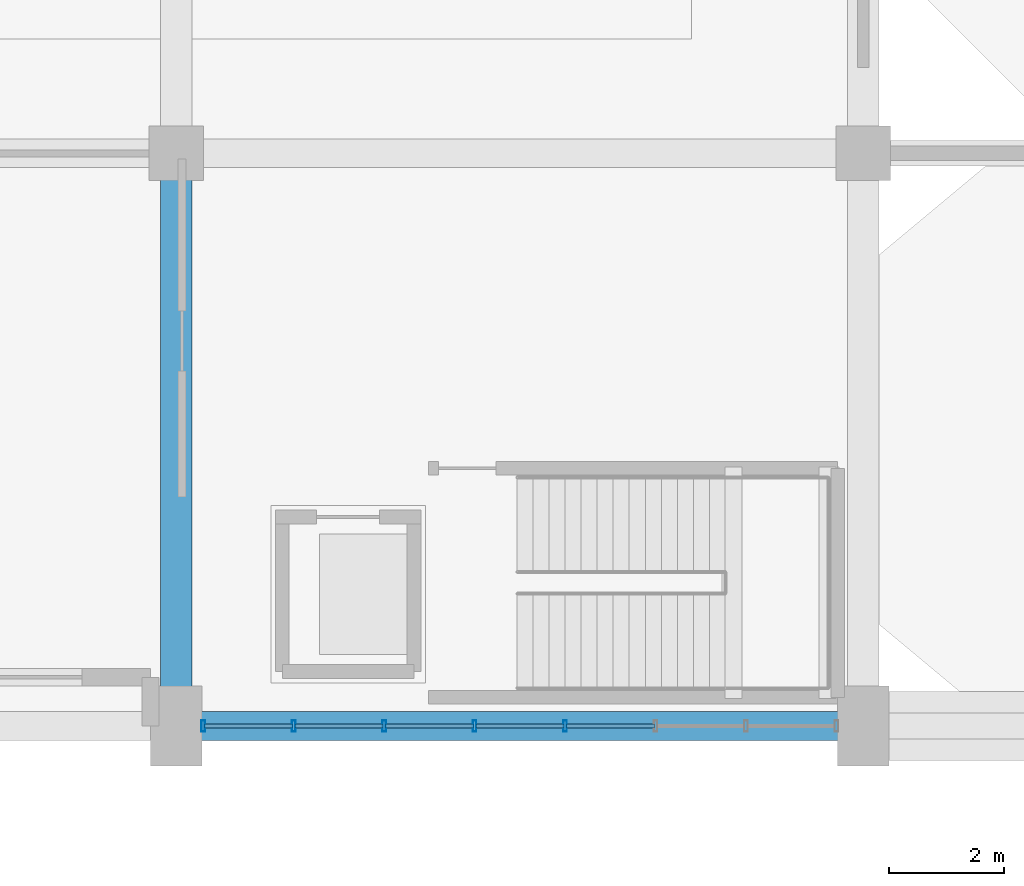
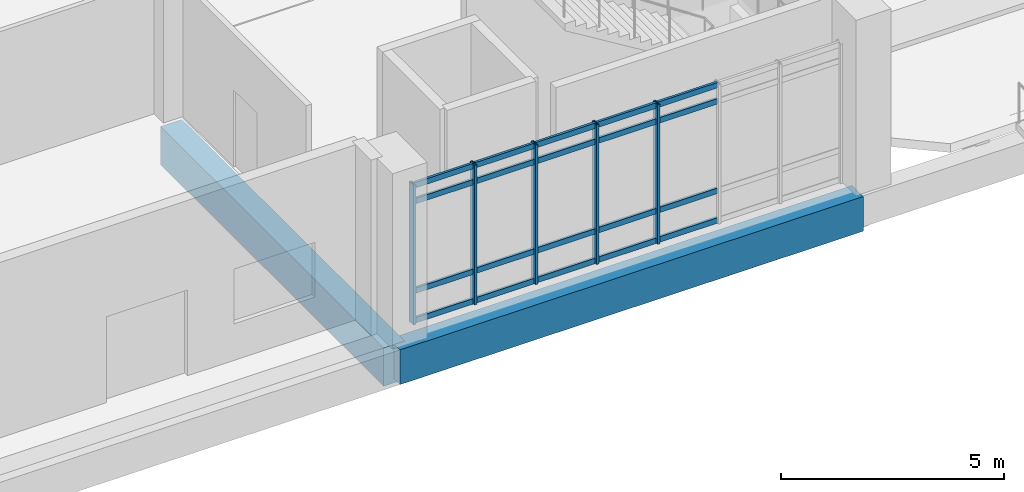
# One storey, part 20 of 87: 25 members, 2 beams, 1 element without a shape of its own.
"""IFC4 building model written with IfcOpenShell, lengths in metres."""

from ifc_helpers import new_model, si_unit, direction, frame, origin, origin_2d, place, context, subcontext, project, spatial, rectangle, hollow_rectangle, extrude, material, layer, layer_set, material_profile, profile_set, type_object, element, aggregate, save


model = new_model("IFC4")

# Units and contexts
model_context = context("Model", 3, precision=1e-05, world=origin(), true_north=direction((0.0, 1.0)))
body_context = subcontext(model_context, "Body", "Model", "MODEL_VIEW")
ifc_project = project(units=[si_unit("LENGTHUNIT", "METRE"), si_unit("AREAUNIT", "SQUARE_METRE"), si_unit("VOLUMEUNIT", "CUBIC_METRE"), si_unit("PLANEANGLEUNIT", "RADIAN"), si_unit("MASSUNIT", "GRAM", prefix="KILO")], contexts=[model_context])

# Site, building, storey
site_placement = place(None, origin())
site = spatial("IfcSite", under=ifc_project, at=site_placement, CompositionType="ELEMENT")
building_placement = place(site_placement, origin())
building = spatial("IfcBuilding", under=site, at=building_placement, Name="Mersad Railyard Sports Hall", CompositionType="ELEMENT")
storey_placement = place(building_placement, origin())
storey = spatial("IfcBuildingStorey", under=building, at=storey_placement, Name="L00", CompositionType="ELEMENT", Elevation=0.0)

# Curtain wall, members
ifc_material_1 = material(Name="Aluminium 6063-T6", Category="aluminium")
ifc_layer = layer(ifc_material_1, 0.199951171875)
ifc_layer_set = layer_set([ifc_layer], Name="Aluminium 6063-T6")
curtain_wall_type = type_object("IfcCurtainWallType", Name="ARC-CW-CW01", PredefinedType="USERDEFINED", material=ifc_layer_set)
curtain_wall_placement = place(storey_placement, origin())
curtain_wall = element("IfcCurtainWall", 1, at=curtain_wall_placement, inside=storey, type_object=curtain_wall_type, Name="Curtain wall CW01-0019", ObjectType="CURTAIN WALL", PredefinedType="USERDEFINED")
ifc_material_profile_1 = material_profile(ifc_material_1, hollow_rectangle(XDim=0.06494140625, YDim=0.199951171875, WallThickness=0.0048828125, at=origin_2d()), Name="AL MULLION 65x200x5")
ifc_profile_set_1 = profile_set([ifc_material_profile_1], Name="Aluminium 6063-T6")
member_type_1 = type_object("IfcMemberType", Name="ARC-CW-MUL02", PredefinedType="MULLION", material=ifc_profile_set_1)
member_1_placement = place(storey_placement, frame((85.7900390625, 3.5, -0.02001953125), z_axis=(0.0, 0.0, 1.0), x_axis=(1.0, 0.0, 0.0)))
member_1 = element("IfcMember", 2, at=member_1_placement, type_object=member_type_1, Name="CW01 Mullion 4", PredefinedType="MULLION", context=body_context, shape_type="SweptSolid", body=[
    extrude(hollow_rectangle(XDim=0.06494140625, YDim=0.199951171875, WallThickness=0.0048828125, at=origin_2d()), origin(), (0.0, 0.0, 1.0), 3.820068359375),
])
member_2_placement = place(storey_placement, frame((84.2099609375, 3.5, -0.02001953125), z_axis=(0.0, 0.0, 1.0), x_axis=(1.0, 0.0, 0.0)))
member_2 = element("IfcMember", 3, at=member_2_placement, type_object=member_type_1, Name="CW01 Mullion 5", PredefinedType="MULLION", context=body_context, shape_type="SweptSolid", body=[
    extrude(hollow_rectangle(XDim=0.06494140625, YDim=0.199951171875, WallThickness=0.0048828125, at=origin_2d()), origin(), (0.0, 0.0, 1.0), 3.820068359375),
])
member_3_placement = place(storey_placement, frame((82.6298828125, 3.5, -0.02001953125), z_axis=(0.0, 0.0, 1.0), x_axis=(1.0, 0.0, 0.0)))
member_3 = element("IfcMember", 4, at=member_3_placement, type_object=member_type_1, Name="CW01 Mullion 6", PredefinedType="MULLION", context=body_context, shape_type="SweptSolid", body=[
    extrude(hollow_rectangle(XDim=0.06494140625, YDim=0.199951171875, WallThickness=0.0048828125, at=origin_2d()), origin(), (0.0, 0.0, 1.0), 3.820068359375),
])
member_4_placement = place(storey_placement, frame((81.050048828125, 3.5, -0.02001953125), z_axis=(0.0, 0.0, 1.0), x_axis=(1.0, 0.0, 0.0)))
member_4 = element("IfcMember", 5, at=member_4_placement, type_object=member_type_1, Name="CW01 Mullion 7", PredefinedType="MULLION", context=body_context, shape_type="SweptSolid", body=[
    extrude(hollow_rectangle(XDim=0.06494140625, YDim=0.199951171875, WallThickness=0.0048828125, at=origin_2d()), origin(), (0.0, 0.0, 1.0), 3.820068359375),
])
member_5_placement = place(storey_placement, frame((79.469970703125, 3.5, -0.02001953125), z_axis=(0.0, 0.0, 1.0), x_axis=(1.0, 0.0, 0.0)))
member_5 = element("IfcMember", 6, at=member_5_placement, type_object=member_type_1, Name="CW01 Mullion 8", PredefinedType="MULLION", context=body_context, shape_type="SweptSolid", body=[
    extrude(hollow_rectangle(XDim=0.06494140625, YDim=0.199951171875, WallThickness=0.0048828125, at=origin_2d()), origin(), (0.0, 0.0, 1.0), 3.820068359375),
])
ifc_material_profile_2 = material_profile(ifc_material_1, hollow_rectangle(XDim=0.06494140625, YDim=0.14990234375, WallThickness=0.00439453125, at=origin_2d()), Name="AL TRANSOM 65x150x4.5")
ifc_profile_set_2 = profile_set([ifc_material_profile_2], Name="Aluminium 6063-T6")
member_type_2 = type_object("IfcMemberType", Name="ARC-CW-TRN02", PredefinedType="USERDEFINED", material=ifc_profile_set_2)
member_6_placement = place(storey_placement, frame((87.35009765625, 3.5, 0.0400390625), z_axis=(-1.0, 0.0, 0.0), x_axis=(0.0, -1.0, 0.0)))
member_6 = element("IfcMember", 7, at=member_6_placement, type_object=member_type_2, Name="CW01 Transom 1-3", ObjectType="TRANSOM", PredefinedType="USERDEFINED", context=body_context, shape_type="SweptSolid", body=[
    extrude(hollow_rectangle(XDim=0.06494140625, YDim=0.14990234375, WallThickness=0.00439453125, at=origin_2d()), origin(), (0.0, 0.0, 1.0), 1.5400390625),
])
member_7_placement = place(storey_placement, frame((85.77001953125, 3.5, 0.0400390625), z_axis=(-1.0, 0.0, 0.0), x_axis=(0.0, -1.0, 0.0)))
member_7 = element("IfcMember", 8, at=member_7_placement, type_object=member_type_2, Name="CW01 Transom 1-4", ObjectType="TRANSOM", PredefinedType="USERDEFINED", context=body_context, shape_type="SweptSolid", body=[
    extrude(hollow_rectangle(XDim=0.06494140625, YDim=0.14990234375, WallThickness=0.00439453125, at=origin_2d()), origin(), (0.0, 0.0, 1.0), 1.5400390625),
])
member_8_placement = place(storey_placement, frame((84.18994140625, 3.5, 0.0400390625), z_axis=(-1.0, 0.0, 0.0), x_axis=(0.0, -1.0, 0.0)))
member_8 = element("IfcMember", 9, at=member_8_placement, type_object=member_type_2, Name="CW01 Transom 1-5", ObjectType="TRANSOM", PredefinedType="USERDEFINED", context=body_context, shape_type="SweptSolid", body=[
    extrude(hollow_rectangle(XDim=0.06494140625, YDim=0.14990234375, WallThickness=0.00439453125, at=origin_2d()), origin(), (0.0, 0.0, 1.0), 1.5400390625),
])
member_9_placement = place(storey_placement, frame((82.610107421875, 3.5, 0.0400390625), z_axis=(-1.0, 0.0, 0.0), x_axis=(0.0, -1.0, 0.0)))
member_9 = element("IfcMember", 10, at=member_9_placement, type_object=member_type_2, Name="CW01 Transom 1-6", ObjectType="TRANSOM", PredefinedType="USERDEFINED", context=body_context, shape_type="SweptSolid", body=[
    extrude(hollow_rectangle(XDim=0.06494140625, YDim=0.14990234375, WallThickness=0.00439453125, at=origin_2d()), origin(), (0.0, 0.0, 1.0), 1.5400390625),
])
member_10_placement = place(storey_placement, frame((81.030029296875, 3.5, 0.0400390625), z_axis=(-1.0, 0.0, 0.0), x_axis=(0.0, -1.0, 0.0)))
member_10 = element("IfcMember", 11, at=member_10_placement, type_object=member_type_2, Name="CW01 Transom 1-7", ObjectType="TRANSOM", PredefinedType="USERDEFINED", context=body_context, shape_type="SweptSolid", body=[
    extrude(hollow_rectangle(XDim=0.06494140625, YDim=0.14990234375, WallThickness=0.00439453125, at=origin_2d()), origin(), (0.0, 0.0, 1.0), 1.5400390625),
])
member_11_placement = place(storey_placement, frame((87.35009765625, 3.5, 0.85009765625), z_axis=(-1.0, 0.0, 0.0), x_axis=(0.0, -1.0, 0.0)))
member_11 = element("IfcMember", 12, at=member_11_placement, type_object=member_type_2, Name="CW01 Transom 2-3", ObjectType="TRANSOM", PredefinedType="USERDEFINED", context=body_context, shape_type="SweptSolid", body=[
    extrude(hollow_rectangle(XDim=0.06494140625, YDim=0.14990234375, WallThickness=0.00439453125, at=origin_2d()), origin(), (0.0, 0.0, 1.0), 1.5400390625),
])
member_12_placement = place(storey_placement, frame((85.77001953125, 3.5, 0.85009765625), z_axis=(-1.0, 0.0, 0.0), x_axis=(0.0, -1.0, 0.0)))
member_12 = element("IfcMember", 13, at=member_12_placement, type_object=member_type_2, Name="CW01 Transom 2-4", ObjectType="TRANSOM", PredefinedType="USERDEFINED", context=body_context, shape_type="SweptSolid", body=[
    extrude(hollow_rectangle(XDim=0.06494140625, YDim=0.14990234375, WallThickness=0.00439453125, at=origin_2d()), origin(), (0.0, 0.0, 1.0), 1.5400390625),
])
member_13_placement = place(storey_placement, frame((84.18994140625, 3.5, 0.85009765625), z_axis=(-1.0, 0.0, 0.0), x_axis=(0.0, -1.0, 0.0)))
member_13 = element("IfcMember", 14, at=member_13_placement, type_object=member_type_2, Name="CW01 Transom 2-5", ObjectType="TRANSOM", PredefinedType="USERDEFINED", context=body_context, shape_type="SweptSolid", body=[
    extrude(hollow_rectangle(XDim=0.06494140625, YDim=0.14990234375, WallThickness=0.00439453125, at=origin_2d()), origin(), (0.0, 0.0, 1.0), 1.5400390625),
])
member_14_placement = place(storey_placement, frame((82.610107421875, 3.5, 0.85009765625), z_axis=(-1.0, 0.0, 0.0), x_axis=(0.0, -1.0, 0.0)))
member_14 = element("IfcMember", 15, at=member_14_placement, type_object=member_type_2, Name="CW01 Transom 2-6", ObjectType="TRANSOM", PredefinedType="USERDEFINED", context=body_context, shape_type="SweptSolid", body=[
    extrude(hollow_rectangle(XDim=0.06494140625, YDim=0.14990234375, WallThickness=0.00439453125, at=origin_2d()), origin(), (0.0, 0.0, 1.0), 1.5400390625),
])
member_15_placement = place(storey_placement, frame((81.030029296875, 3.5, 0.85009765625), z_axis=(-1.0, 0.0, 0.0), x_axis=(0.0, -1.0, 0.0)))
member_15 = element("IfcMember", 16, at=member_15_placement, type_object=member_type_2, Name="CW01 Transom 2-7", ObjectType="TRANSOM", PredefinedType="USERDEFINED", context=body_context, shape_type="SweptSolid", body=[
    extrude(hollow_rectangle(XDim=0.06494140625, YDim=0.14990234375, WallThickness=0.00439453125, at=origin_2d()), origin(), (0.0, 0.0, 1.0), 1.5400390625),
])
member_16_placement = place(storey_placement, frame((87.35009765625, 3.5, 3.300048828125), z_axis=(-1.0, 0.0, 0.0), x_axis=(0.0, -1.0, 0.0)))
member_16 = element("IfcMember", 17, at=member_16_placement, type_object=member_type_2, Name="CW01 Transom 3-3", ObjectType="TRANSOM", PredefinedType="USERDEFINED", context=body_context, shape_type="SweptSolid", body=[
    extrude(hollow_rectangle(XDim=0.06494140625, YDim=0.14990234375, WallThickness=0.00439453125, at=origin_2d()), origin(), (0.0, 0.0, 1.0), 1.5400390625),
])
member_17_placement = place(storey_placement, frame((85.77001953125, 3.5, 3.300048828125), z_axis=(-1.0, 0.0, 0.0), x_axis=(0.0, -1.0, 0.0)))
member_17 = element("IfcMember", 18, at=member_17_placement, type_object=member_type_2, Name="CW01 Transom 3-4", ObjectType="TRANSOM", PredefinedType="USERDEFINED", context=body_context, shape_type="SweptSolid", body=[
    extrude(hollow_rectangle(XDim=0.06494140625, YDim=0.14990234375, WallThickness=0.00439453125, at=origin_2d()), origin(), (0.0, 0.0, 1.0), 1.5400390625),
])
member_18_placement = place(storey_placement, frame((84.18994140625, 3.5, 3.300048828125), z_axis=(-1.0, 0.0, 0.0), x_axis=(0.0, -1.0, 0.0)))
member_18 = element("IfcMember", 19, at=member_18_placement, type_object=member_type_2, Name="CW01 Transom 3-5", ObjectType="TRANSOM", PredefinedType="USERDEFINED", context=body_context, shape_type="SweptSolid", body=[
    extrude(hollow_rectangle(XDim=0.06494140625, YDim=0.14990234375, WallThickness=0.00439453125, at=origin_2d()), origin(), (0.0, 0.0, 1.0), 1.5400390625),
])
member_19_placement = place(storey_placement, frame((82.610107421875, 3.5, 3.300048828125), z_axis=(-1.0, 0.0, 0.0), x_axis=(0.0, -1.0, 0.0)))
member_19 = element("IfcMember", 20, at=member_19_placement, type_object=member_type_2, Name="CW01 Transom 3-6", ObjectType="TRANSOM", PredefinedType="USERDEFINED", context=body_context, shape_type="SweptSolid", body=[
    extrude(hollow_rectangle(XDim=0.06494140625, YDim=0.14990234375, WallThickness=0.00439453125, at=origin_2d()), origin(), (0.0, 0.0, 1.0), 1.5400390625),
])
member_20_placement = place(storey_placement, frame((81.030029296875, 3.5, 3.300048828125), z_axis=(-1.0, 0.0, 0.0), x_axis=(0.0, -1.0, 0.0)))
member_20 = element("IfcMember", 21, at=member_20_placement, type_object=member_type_2, Name="CW01 Transom 3-7", ObjectType="TRANSOM", PredefinedType="USERDEFINED", context=body_context, shape_type="SweptSolid", body=[
    extrude(hollow_rectangle(XDim=0.06494140625, YDim=0.14990234375, WallThickness=0.00439453125, at=origin_2d()), origin(), (0.0, 0.0, 1.0), 1.5400390625),
])
member_21_placement = place(storey_placement, frame((87.35009765625, 3.5, 3.739990234375), z_axis=(-1.0, 0.0, 0.0), x_axis=(0.0, -1.0, 0.0)))
member_21 = element("IfcMember", 22, at=member_21_placement, type_object=member_type_2, Name="CW01 Transom 4-3", ObjectType="TRANSOM", PredefinedType="USERDEFINED", context=body_context, shape_type="SweptSolid", body=[
    extrude(hollow_rectangle(XDim=0.06494140625, YDim=0.14990234375, WallThickness=0.00439453125, at=origin_2d()), origin(), (0.0, 0.0, 1.0), 1.5400390625),
])
member_22_placement = place(storey_placement, frame((85.77001953125, 3.5, 3.739990234375), z_axis=(-1.0, 0.0, 0.0), x_axis=(0.0, -1.0, 0.0)))
member_22 = element("IfcMember", 23, at=member_22_placement, type_object=member_type_2, Name="CW01 Transom 4-4", ObjectType="TRANSOM", PredefinedType="USERDEFINED", context=body_context, shape_type="SweptSolid", body=[
    extrude(hollow_rectangle(XDim=0.06494140625, YDim=0.14990234375, WallThickness=0.00439453125, at=origin_2d()), origin(), (0.0, 0.0, 1.0), 1.5400390625),
])
member_23_placement = place(storey_placement, frame((84.18994140625, 3.5, 3.739990234375), z_axis=(-1.0, 0.0, 0.0), x_axis=(0.0, -1.0, 0.0)))
member_23 = element("IfcMember", 24, at=member_23_placement, type_object=member_type_2, Name="CW01 Transom 4-5", ObjectType="TRANSOM", PredefinedType="USERDEFINED", context=body_context, shape_type="SweptSolid", body=[
    extrude(hollow_rectangle(XDim=0.06494140625, YDim=0.14990234375, WallThickness=0.00439453125, at=origin_2d()), origin(), (0.0, 0.0, 1.0), 1.5400390625),
])
member_24_placement = place(storey_placement, frame((82.610107421875, 3.5, 3.739990234375), z_axis=(-1.0, 0.0, 0.0), x_axis=(0.0, -1.0, 0.0)))
member_24 = element("IfcMember", 25, at=member_24_placement, type_object=member_type_2, Name="CW01 Transom 4-6", ObjectType="TRANSOM", PredefinedType="USERDEFINED", context=body_context, shape_type="SweptSolid", body=[
    extrude(hollow_rectangle(XDim=0.06494140625, YDim=0.14990234375, WallThickness=0.00439453125, at=origin_2d()), origin(), (0.0, 0.0, 1.0), 1.5400390625),
])
member_25_placement = place(storey_placement, frame((81.030029296875, 3.5, 3.739990234375), z_axis=(-1.0, 0.0, 0.0), x_axis=(0.0, -1.0, 0.0)))
member_25 = element("IfcMember", 26, at=member_25_placement, type_object=member_type_2, Name="CW01 Transom 4-7", ObjectType="TRANSOM", PredefinedType="USERDEFINED", context=body_context, shape_type="SweptSolid", body=[
    extrude(hollow_rectangle(XDim=0.06494140625, YDim=0.14990234375, WallThickness=0.00439453125, at=origin_2d()), origin(), (0.0, 0.0, 1.0), 1.5400390625),
])
aggregate(curtain_wall, [member_1, member_2, member_3, member_4, member_5, member_6, member_7, member_8, member_9, member_10, member_11, member_12, member_13, member_14, member_15, member_16, member_17, member_18, member_19, member_20, member_21, member_22, member_23, member_24, member_25])

# Beams
ifc_material_2 = material(Name="Concrete C50/60", Category="concrete")
ifc_material_profile_3 = material_profile(ifc_material_2, rectangle(XDim=0.5, YDim=0.949951171875, at=origin_2d()), Name="RC 500x950")
ifc_profile_set_3 = profile_set([ifc_material_profile_3], Name="Concrete C50/60")
beam_type_1 = type_object("IfcBeamType", Name="STR-BM-B03", PredefinedType="BEAM", material=ifc_profile_set_3)
beam_1_placement = place(storey_placement, frame((79.0, 3.5, -0.925048828125), z_axis=(1.0, 0.0, 0.0), x_axis=(0.0, 1.0, 0.0)))
element("IfcBeam", 27, at=beam_1_placement, inside=storey, type_object=beam_type_1, Name="Beam B03-0007", PredefinedType="BEAM", context=body_context, shape_type="SweptSolid", body=[
    extrude(rectangle(XDim=0.5, YDim=0.949951171875, at=origin_2d()), origin(), (0.0, 0.0, 1.0), 12.0),
])
ifc_material_profile_4 = material_profile(ifc_material_2, rectangle(XDim=0.550048828125, YDim=1.050048828125, at=origin_2d()), Name="RC 550x1050")
ifc_profile_set_4 = profile_set([ifc_material_profile_4], Name="Concrete C50/60")
beam_type_2 = type_object("IfcBeamType", Name="STR-BM-B04", PredefinedType="BEAM", material=ifc_profile_set_4)
beam_2_placement = place(storey_placement, frame((79.0, 3.5, -0.97509765625), z_axis=(0.0, 1.0, 0.0), x_axis=(-1.0, 0.0, 0.0)))
element("IfcBeam", 28, at=beam_2_placement, inside=storey, type_object=beam_type_2, Name="Beam B04-0047", PredefinedType="BEAM", context=body_context, shape_type="SweptSolid", body=[
    extrude(rectangle(XDim=0.550048828125, YDim=1.050048828125, at=origin_2d()), origin(), (0.0, 0.0, 1.0), 10.0),
])

save(model, "model.ifc")
